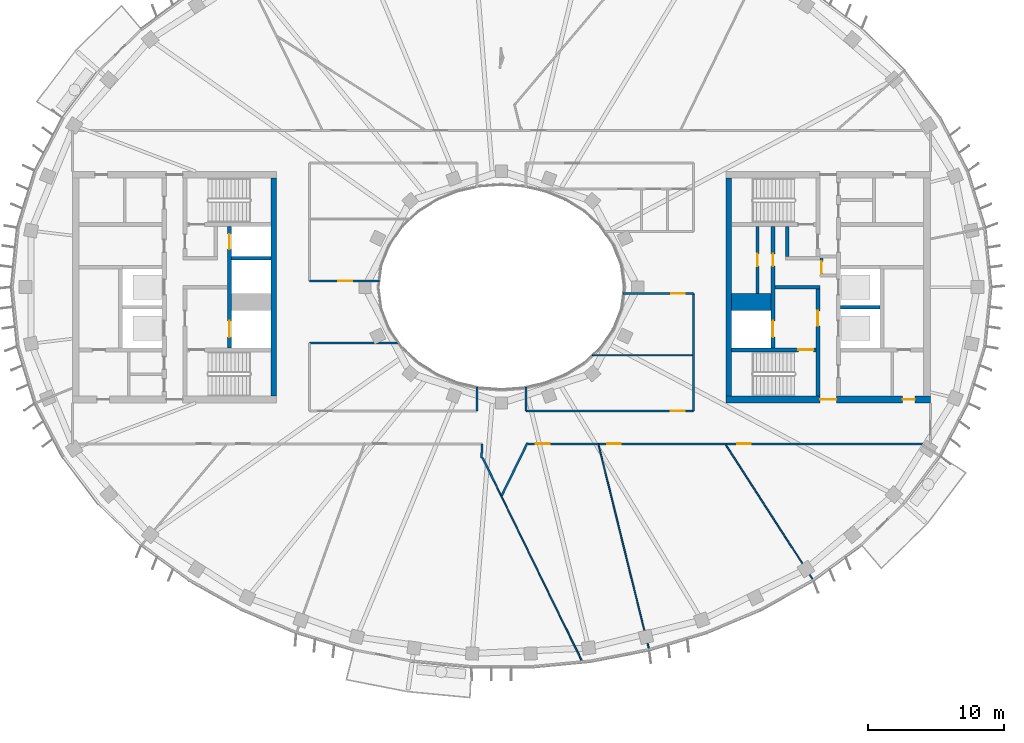
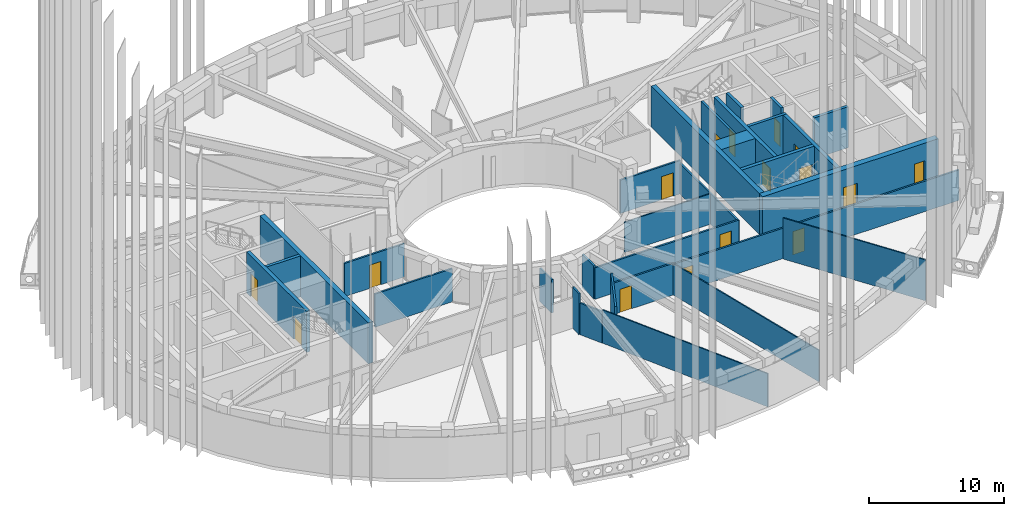
# One storey, part 4 of 17: 30 walls, 16 doors, 16 openings.
"""IFC4 building model written with IfcOpenShell, lengths in metres."""

import ifcopenshell
import ifcopenshell.guid

model = None  # the IFC model being written
_history = None  # IfcOwnerHistory: only IFC2X3 demands one
_inside = {}  # id of a spatial element -> (the spatial element, [elements in it])
_under = {}  # id of a project, library or spatial element -> (it, [spatial elements below it])
_declared = {}  # id of a project -> (the project, [libraries it declares])
_typed = {}  # id of a type object -> (the type object, [elements of that type])
_made_of = {}  # id of a material, layer set ... -> (it, [elements and type objects made of it])


def new_model(schema):
    """Start an empty IFC model of exactly this schema.

    Asked for "IFC4X3", IfcOpenShell would pick the latest addendum, in which some entities
    have other attributes; the version numbers below select the first issue.
    IFC2X3 requires an IfcOwnerHistory on every rooted entity: one is made here for all.
    """
    global model, _history
    if schema == "IFC4X3":
        model = ifcopenshell.file(schema_version=(4, 3, 0, 0))
    else:
        model = ifcopenshell.file(schema=schema)
    _inside.clear()
    _under.clear()
    _declared.clear()
    _typed.clear()
    _made_of.clear()
    _history = None
    if model.schema == "IFC2X3":
        org = make("IfcOrganization", Name="unknown")
        user = make(
            "IfcPersonAndOrganization",
            ThePerson=make("IfcPerson", FamilyName="unknown"),
            TheOrganization=org,
        )
        app = make(
            "IfcApplication",
            ApplicationDeveloper=org,
            Version="unknown",
            ApplicationFullName="unknown",
            ApplicationIdentifier="unknown",
        )
        _history = make(
            "IfcOwnerHistory",
            OwningUser=user,
            OwningApplication=app,
            ChangeAction="ADDED",
            CreationDate=0,
        )
    return model


def make(cls, **values):
    """One entity of the class cls with the attributes given. An attribute that is None is left unset."""
    return model.create_entity(
        cls, **{name: value for name, value in values.items() if value is not None}
    )


def rooted(cls, **values):
    """An entity with a GlobalId (a new one), such as an element, a storey or a relation."""
    return make(cls, GlobalId=ifcopenshell.guid.new(), OwnerHistory=_history, **values)


def si_unit(unit_type, name, prefix=None):
    """IfcSIUnit, for example si_unit("LENGTHUNIT", "METRE", prefix="MILLI")."""
    return make("IfcSIUnit", UnitType=unit_type, Prefix=prefix, Name=name)


def assignment(units):
    """IfcUnitAssignment: the units of a project."""
    return None if units is None else make("IfcUnitAssignment", Units=units)


def point(xyz):
    """IfcCartesianPoint."""
    return None if xyz is None else make("IfcCartesianPoint", Coordinates=xyz)


def direction(xyz):
    """IfcDirection."""
    return None if xyz is None else make("IfcDirection", DirectionRatios=xyz)


def frame(location, z_axis=None, x_axis=None):
    """IfcAxis2Placement3D, a coordinate frame: its origin and axes. An axis left out is left unset."""
    return make(
        "IfcAxis2Placement3D",
        Location=point(location),
        Axis=direction(z_axis),
        RefDirection=direction(x_axis),
    )


def frame_2d(location, x_axis=None):
    """IfcAxis2Placement2D, a coordinate frame in the plane: its origin and x axis."""
    return make(
        "IfcAxis2Placement2D", Location=point(location), RefDirection=direction(x_axis)
    )


def origin():
    """The frame at (0, 0, 0) with its axes left unset."""
    return frame((0.0, 0.0, 0.0))


def place(relative_to, where):
    """IfcLocalPlacement: puts the frame where relative to a parent placement (None: the world)."""
    return make(
        "IfcLocalPlacement", PlacementRelTo=relative_to, RelativePlacement=where
    )


def context(
    kind, dimensions, precision=None, world=None, true_north=None, identifier=None
):
    """IfcGeometricRepresentationContext, for example the 3D "Model" context."""
    return make(
        "IfcGeometricRepresentationContext",
        ContextIdentifier=identifier,
        ContextType=kind,
        CoordinateSpaceDimension=dimensions,
        Precision=precision,
        WorldCoordinateSystem=world,
        TrueNorth=true_north,
    )


def subcontext(parent, identifier, kind, view, scale=None):
    """IfcGeometricRepresentationSubContext, for example "Body" below "Model"."""
    return make(
        "IfcGeometricRepresentationSubContext",
        ContextIdentifier=identifier,
        ContextType=kind,
        ParentContext=parent,
        TargetScale=scale,
        TargetView=view,
    )


def project(units=None, contexts=None):
    """IfcProject with its units and contexts."""
    return rooted(
        "IfcProject",
        Name="project",
        RepresentationContexts=contexts,
        UnitsInContext=assignment(units),
    )


def spatial(cls, under=None, at=None, **own):
    """A site, building, storey or space (cls), placed at a placement, below another one or the project."""
    s = rooted(cls, ObjectPlacement=at, **own)
    if under is not None:
        _under.setdefault(under.id(), (under, []))[1].append(s)
    return s


def profile(cls, at=None, kind="AREA", **sizes):
    """A parametric profile (cls). Its sizes go by their IFC names, for example OverallWidth=200.0."""
    return make(cls, ProfileType=kind, Position=at, **sizes)


def rectangle(**sizes):
    """IfcRectangleProfileDef."""
    return profile("IfcRectangleProfileDef", **sizes)


def extrude(swept, where, along, depth):
    """IfcExtrudedAreaSolid: the profile swept, set in the frame where, extruded along a direction by depth."""
    return make(
        "IfcExtrudedAreaSolid",
        SweptArea=swept,
        Position=where,
        ExtrudedDirection=direction(along),
        Depth=depth,
    )


def shape(context_of_items, identifier, shape_type, items):
    """IfcShapeRepresentation: the items that make up one representation, for example the "Body"."""
    return make(
        "IfcShapeRepresentation",
        ContextOfItems=context_of_items,
        RepresentationIdentifier=identifier,
        RepresentationType=shape_type,
        Items=items,
    )


def material(Name=None, Category=None):
    """IfcMaterial."""
    return make("IfcMaterial", Name=Name, Category=Category)


def layer(
    of_material, thickness, ventilated=None, Name=None, Category=None, Priority=None
):
    """IfcMaterialLayer: one layer of a wall or slab, of a material (None: an air gap)."""
    return make(
        "IfcMaterialLayer",
        Material=of_material,
        LayerThickness=thickness,
        IsVentilated=ventilated,
        Name=Name,
        Category=Category,
        Priority=Priority,
    )


def layer_set(layers, Name=None):
    """IfcMaterialLayerSet."""
    return make("IfcMaterialLayerSet", MaterialLayers=layers, LayerSetName=Name)


def made_of(thing, what):
    """Note that an element or type object is made of a material, layer set ...; save() writes the relation."""
    if what is not None:
        _made_of.setdefault(what.id(), (what, []))[1].append(thing)
    return thing


def type_object(cls, material=None, **own):
    """A type object (cls), such as IfcWallType, which elements share."""
    return made_of(rooted(cls, **own), material)


def element(
    cls,
    number,
    at=None,
    inside=None,
    cuts=None,
    type_object=None,
    material=None,
    context=None,
    identifier="Body",
    shape_type=None,
    held_by="IfcProductDefinitionShape",
    body=None,
    shapes=None,
    **own,
):
    """One element of the class cls, such as IfcWall. Its Tag is "e" and its number.

    at: its placement. inside: the storey or other place that contains it. cuts: it is an
    opening in that element (IfcRelVoidsElement). A single representation is given by context,
    identifier, shape_type and body (its items); several are given by shapes. held_by: the class
    of the entity that holds the representations. save() writes the other relations.
    """
    e = rooted(cls, Tag="e%d" % number, ObjectPlacement=at, **own)
    if body is not None:
        shapes = [shape(context, identifier, shape_type, body)]
    if shapes is not None:
        e.Representation = make(held_by, Representations=shapes)
    if inside is not None:
        _inside.setdefault(inside.id(), (inside, []))[1].append(e)
    if cuts is not None:
        rooted(
            "IfcRelVoidsElement", RelatingBuildingElement=cuts, RelatedOpeningElement=e
        )
    if type_object is not None:
        _typed.setdefault(type_object.id(), (type_object, []))[1].append(e)
    return made_of(e, material)


def fill(opening, filler):
    """IfcRelFillsElement: the door or window that sits in an opening."""
    return rooted(
        "IfcRelFillsElement",
        RelatingOpeningElement=opening,
        RelatedBuildingElement=filler,
    )


def aggregate(whole, parts):
    """IfcRelAggregates: a whole, such as a stair, and the parts it consists of."""
    return rooted("IfcRelAggregates", RelatingObject=whole, RelatedObjects=parts)


def save(model, path):
    """Write the relations noted so far, then the file.

    IfcRelAggregates (storeys below a building ...), IfcRelContainedInSpatialStructure (elements
    in a storey), IfcRelDefinesByType, IfcRelAssociatesMaterial and IfcRelDeclares: one each for
    every whole, place, type object, material and project.
    """
    for whole, parts in _under.values():
        aggregate(whole, parts)
    for where, things in _inside.values():
        rooted(
            "IfcRelContainedInSpatialStructure",
            RelatedElements=things,
            RelatingStructure=where,
        )
    for kind, things in _typed.values():
        rooted("IfcRelDefinesByType", RelatedObjects=things, RelatingType=kind)
    for what, things in _made_of.values():
        rooted("IfcRelAssociatesMaterial", RelatedObjects=things, RelatingMaterial=what)
    for by, libraries in _declared.values():
        rooted("IfcRelDeclares", RelatingContext=by, RelatedDefinitions=libraries)
    model.write(path)


model = new_model("IFC4")

# Units and contexts
model_context = context("Model", 3, precision=1e-05, world=origin(), true_north=direction((0.0, 1.0)))
body_context = subcontext(model_context, "Body", "Model", "MODEL_VIEW")
ifc_project = project(units=[si_unit("LENGTHUNIT", "METRE"), si_unit("AREAUNIT", "SQUARE_METRE"), si_unit("VOLUMEUNIT", "CUBIC_METRE"), si_unit("PLANEANGLEUNIT", "RADIAN"), si_unit("MASSUNIT", "GRAM", prefix="KILO")], contexts=[model_context])

# Site, building, storey
site_placement = place(None, origin())
site = spatial("IfcSite", under=ifc_project, at=site_placement, CompositionType="ELEMENT")
building_placement = place(site_placement, origin())
building = spatial("IfcBuilding", under=site, at=building_placement, Name="Noorbagh Ring Tower", CompositionType="ELEMENT")
storey_placement = place(building_placement, frame((0.0, 0.0, 291.0)))
storey = spatial("IfcBuildingStorey", under=building, at=storey_placement, Name="L62", CompositionType="ELEMENT", Elevation=291.0)

# Wall, opening, door
ifc_material_1 = material(Name="Gypsum board on steel studs", Category="steel")
ifc_layer_1 = layer(ifc_material_1, 0.199951171875)
ifc_layer_set_1 = layer_set([ifc_layer_1], Name="Gypsum board on steel studs")
wall_type_1 = type_object("IfcWallType", Name="CORE-PARTITION-200", PredefinedType="PARTITIONING", material=ifc_layer_set_1)
wall_1_placement = place(storey_placement, frame((18.800048828125, -0.449951171875, 0.0), z_axis=(0.0, 0.0, 1.0), x_axis=(0.0, 1.0, 0.0)))
wall_1 = element("IfcWall", 1, at=wall_1_placement, inside=storey, type_object=wall_type_1, Name="Core partition E", PredefinedType="PARTITIONING", context=body_context, shape_type="SweptSolid", body=[
    extrude(rectangle(XDim=4.89990234375, YDim=0.199951171875, at=frame_2d((2.449951171875, 0.0))), origin(), (0.0, 0.0, 1.0), 3.699951171875),
])
opening_1_placement = place(wall_1_placement, frame((2.0, 0.0, 0.0)))
opening_1 = element("IfcOpeningElement", 2, at=opening_1_placement, cuts=wall_1, Name="Opening L62-CE11", PredefinedType="OPENING", context=body_context, shape_type="SweptSolid", body=[
    extrude(rectangle(XDim=0.89990234375, YDim=2.10009765625, at=frame_2d((0.449951171875, 1.050048828125))), frame((0.0, 0.10986328125, 0.0), z_axis=(0.0, -1.0, 0.0), x_axis=(1.0, 0.0, 0.0)), (0.0, 0.0, 1.0), 0.219970703125),
])
ifc_material_2 = material(Name="Steel door leaf", Category="steel")
door_type_1 = type_object("IfcDoorType", Name="CORE-DOOR-DROOM", OperationType="SINGLE_SWING_LEFT", PredefinedType="DOOR", material=ifc_material_2)
door_1_placement = place(opening_1_placement, origin())
door_1 = element("IfcDoor", 3, at=door_1_placement, inside=storey, type_object=door_type_1, Name="Core room door L62-CE11", OperationType="SINGLE_SWING_RIGHT", OverallHeight=2.10009765625, OverallWidth=0.89990234375, PredefinedType="DOOR", context=body_context, shape_type="SweptSolid", body=[
    extrude(rectangle(XDim=0.89990234375, YDim=2.10009765625, at=frame_2d((0.449951171875, 1.050048828125))), frame((0.0, 0.02490234375, 0.0), z_axis=(0.0, -1.0, 0.0), x_axis=(1.0, 0.0, 0.0)), (0.0, 0.0, 1.0), 0.050048828125),
])
fill(opening_1, door_1)

wall_2_placement = place(storey_placement, frame((23.5, 0.75, 0.0), z_axis=(0.0, 0.0, 1.0), x_axis=(0.0, 1.0, 0.0)))
wall_2 = element("IfcWall", 4, at=wall_2_placement, inside=storey, type_object=wall_type_1, Name="Core partition E", PredefinedType="PARTITIONING", context=body_context, shape_type="SweptSolid", body=[
    extrude(rectangle(XDim=1.60009765625, YDim=0.199951171875, at=frame_2d((0.800048828125, 0.0))), origin(), (0.0, 0.0, 1.0), 3.699951171875),
])
opening_2_placement = place(wall_2_placement, frame((0.25, 0.0, 0.0)))
opening_2 = element("IfcOpeningElement", 5, at=opening_2_placement, cuts=wall_2, Name="Opening L62-CE18", PredefinedType="OPENING", context=body_context, shape_type="SweptSolid", body=[
    extrude(rectangle(XDim=0.89990234375, YDim=2.10009765625, at=frame_2d((0.449951171875, 1.050048828125))), frame((0.0, 0.10986328125, 0.0), z_axis=(0.0, -1.0, 0.0), x_axis=(1.0, 0.0, 0.0)), (0.0, 0.0, 1.0), 0.219970703125),
])
door_2_placement = place(opening_2_placement, origin())
door_2 = element("IfcDoor", 6, at=door_2_placement, inside=storey, type_object=door_type_1, Name="Core room door L62-CE18", OperationType="SINGLE_SWING_LEFT", OverallHeight=2.10009765625, OverallWidth=0.89990234375, PredefinedType="DOOR", context=body_context, shape_type="SweptSolid", body=[
    extrude(rectangle(XDim=0.89990234375, YDim=2.10009765625, at=frame_2d((0.449951171875, 1.050048828125))), frame((0.0, 0.02490234375, 0.0), z_axis=(0.0, -1.0, 0.0), x_axis=(1.0, 0.0, 0.0)), (0.0, 0.0, 1.0), 0.050048828125),
])
fill(opening_2, door_2)

# Walls
ifc_material_3 = material(Name="Concrete C50/60", Category="concrete")
ifc_layer_2 = layer(ifc_material_3, 1.25)
ifc_layer_set_2 = layer_set([ifc_layer_2], Name="Concrete C50/60")
wall_type_2 = type_object("IfcWallType", Name="CORE-WALL-1250-C50-60-EI120", PredefinedType="SHEAR", material=ifc_layer_set_2)
wall_3_placement = place(storey_placement, frame((16.89990234375, -1.074951171875, 0.0), z_axis=(0.0, 0.0, 1.0), x_axis=(1.0, 0.0, 0.0)))
element("IfcWall", 7, at=wall_3_placement, inside=storey, type_object=wall_type_2, Name="Core wall E", PredefinedType="SHEAR", context=body_context, shape_type="SweptSolid", body=[
    extrude(rectangle(XDim=2.900146484375, YDim=1.25, at=frame_2d((1.4501953125, 0.0))), origin(), (0.0, 0.0, 1.0), 3.699951171875),
])
ifc_material_4 = material(Name="Concrete C50/60", Category="concrete")
ifc_layer_3 = layer(ifc_material_4, 0.25)
ifc_layer_set_3 = layer_set([ifc_layer_3], Name="Concrete C50/60")
wall_type_3 = type_object("IfcWallType", Name="CORE-WALL-250-C50-60-EI120", PredefinedType="SHEAR", material=ifc_layer_set_3)
for number, where, z_axis, x_axis, name in (
    (8, (-16.89990234375, 2.125, 0.0), (0.0, 0.0, 1.0), (-1.0, 0.0, 0.0), "Core wall W"),
    (9, (24.89990234375, -1.47509765625, 0.0), (0.0, 0.0, 1.0), (1.0, 0.0, 0.0), "Core wall E"),
):
    element("IfcWall", number, at=place(storey_placement, frame(where, z_axis=z_axis, x_axis=x_axis)), inside=storey, type_object=wall_type_3, Name=name, PredefinedType="SHEAR", context=body_context, shape_type="SweptSolid", body=[
        extrude(rectangle(XDim=2.900146484375, YDim=0.25, at=frame_2d((1.4501953125, 0.0))), origin(), (0.0, 0.0, 1.0), 3.699951171875),
    ])
ifc_material_5 = material(Name="Concrete C50/60", Category="concrete")
ifc_layer_4 = layer(ifc_material_5, 0.25)
ifc_layer_set_4 = layer_set([ifc_layer_4], Name="Concrete C50/60")
wall_type_4 = type_object("IfcWallType", Name="CORE-WALL-250-C50-60-EI240", PredefinedType="SHEAR", material=ifc_layer_set_4)
wall_4_placement = place(storey_placement, frame((20.10009765625, 0.0, 0.0), z_axis=(0.0, 0.0, 1.0), x_axis=(1.0, 0.0, 0.0)))
element("IfcWall", 10, at=wall_4_placement, inside=storey, type_object=wall_type_4, Name="Core wall E", PredefinedType="SHEAR", context=body_context, shape_type="SweptSolid", body=[
    extrude(rectangle(XDim=3.27978515625, YDim=0.25, at=frame_2d((1.639892578125, 0.0))), origin(), (0.0, 0.0, 1.0), 3.699951171875),
])
wall_5_placement = place(storey_placement, frame((20.97509765625, 2.25, 0.0), z_axis=(0.0, 0.0, 1.0), x_axis=(0.0, 1.0, 0.0)))
element("IfcWall", 11, at=wall_5_placement, inside=storey, type_object=wall_type_4, Name="Core wall E", PredefinedType="SHEAR", context=body_context, shape_type="SweptSolid", body=[
    extrude(rectangle(XDim=2.199951171875, YDim=0.25, at=frame_2d((1.10009765625, 0.0))), origin(), (0.0, 0.0, 1.0), 3.699951171875),
])

# Wall, openings, doors
ifc_material_6 = material(Name="Concrete C50/60", Category="concrete")
ifc_layer_5 = layer(ifc_material_6, 0.300048828125)
ifc_layer_set_5 = layer_set([ifc_layer_5], Name="Concrete C50/60")
wall_type_5 = type_object("IfcWallType", Name="CORE-WALL-300-C50-60-EI120", PredefinedType="SHEAR", material=ifc_layer_set_5)
wall_6_placement = place(storey_placement, frame((-19.949951171875, -4.449951171875, 0.0), z_axis=(0.0, 0.0, 1.0), x_axis=(0.0, 1.0, 0.0)))
wall_6 = element("IfcWall", 12, at=wall_6_placement, inside=storey, type_object=wall_type_5, Name="Core wall W", PredefinedType="SHEAR", context=body_context, shape_type="SweptSolid", body=[
    extrude(rectangle(XDim=8.89990234375, YDim=0.300048828125, at=frame_2d((4.449951171875, 0.0))), origin(), (0.0, 0.0, 1.0), 3.699951171875),
])
opening_3_placement = place(wall_6_placement, frame((0.77490234375, 0.0, 0.0)))
opening_3 = element("IfcOpeningElement", 13, at=opening_3_placement, cuts=wall_6, Name="Opening L62-CW01", PredefinedType="OPENING", context=body_context, shape_type="SweptSolid", body=[
    extrude(rectangle(XDim=1.199951171875, YDim=2.10009765625, at=frame_2d((0.60009765625, 1.050048828125))), frame((0.0, 0.16015625, 0.0), z_axis=(0.0, -1.0, 0.0), x_axis=(1.0, 0.0, 0.0)), (0.0, 0.0, 1.0), 0.320068359375),
])
opening_4_placement = place(wall_6_placement, frame((7.25, 0.0, 0.0)))
opening_4 = element("IfcOpeningElement", 14, at=opening_4_placement, cuts=wall_6, Name="Opening L62-CW02", PredefinedType="OPENING", context=body_context, shape_type="SweptSolid", body=[
    extrude(rectangle(XDim=1.10009765625, YDim=2.10009765625, at=frame_2d((0.550048828125, 1.050048828125))), frame((0.0, 0.16015625, 0.0), z_axis=(0.0, -1.0, 0.0), x_axis=(1.0, 0.0, 0.0)), (0.0, 0.0, 1.0), 0.320068359375),
])
ifc_material_7 = material(Name="Steel door leaf", Category="steel")
door_type_2 = type_object("IfcDoorType", Name="CORE-DOOR-LD", OperationType="DOUBLE_DOOR_SLIDING", PredefinedType="DOOR", material=ifc_material_7)
door_3_placement = place(opening_4_placement, origin())
door_3 = element("IfcDoor", 15, at=door_3_placement, inside=storey, type_object=door_type_2, Name="Landing door HR1 L62-CW02", OperationType="DOUBLE_DOOR_SLIDING", OverallHeight=2.10009765625, OverallWidth=1.10009765625, PredefinedType="DOOR", context=body_context, shape_type="SweptSolid", body=[
    extrude(rectangle(XDim=1.10009765625, YDim=2.10009765625, at=frame_2d((0.550048828125, 1.050048828125))), frame((0.0, 0.02490234375, 0.0), z_axis=(0.0, -1.0, 0.0), x_axis=(1.0, 0.0, 0.0)), (0.0, 0.0, 1.0), 0.050048828125),
])
fill(opening_4, door_3)
ifc_material_8 = material(Name="Steel door leaf", Category="steel")
door_type_3 = type_object("IfcDoorType", Name="CORE-DOOR-LDW", OperationType="DOUBLE_DOOR_SLIDING", PredefinedType="DOOR", material=ifc_material_8)
door_4_placement = place(opening_3_placement, origin())
door_4 = element("IfcDoor", 16, at=door_4_placement, inside=storey, type_object=door_type_3, Name="Landing door FF1 L62-CW01", OperationType="DOUBLE_DOOR_SLIDING", OverallHeight=2.10009765625, OverallWidth=1.199951171875, PredefinedType="DOOR", context=body_context, shape_type="SweptSolid", body=[
    extrude(rectangle(XDim=1.199951171875, YDim=2.10009765625, at=frame_2d((0.60009765625, 1.050048828125))), frame((0.0, 0.02490234375, 0.0), z_axis=(0.0, -1.0, 0.0), x_axis=(1.0, 0.0, 0.0)), (0.0, 0.0, 1.0), 0.050048828125),
])
fill(opening_3, door_4)

wall_7_placement = place(storey_placement, frame((19.949951171875, -4.449951171875, 0.0), z_axis=(0.0, 0.0, 1.0), x_axis=(0.0, 1.0, 0.0)))
wall_7 = element("IfcWall", 17, at=wall_7_placement, inside=storey, type_object=wall_type_5, Name="Core wall E", PredefinedType="SHEAR", context=body_context, shape_type="SweptSolid", body=[
    extrude(rectangle(XDim=8.89990234375, YDim=0.300048828125, at=frame_2d((4.449951171875, 0.0))), origin(), (0.0, 0.0, 1.0), 3.699951171875),
])
opening_5_placement = place(wall_7_placement, frame((0.77490234375, 0.0, 0.0)))
opening_5 = element("IfcOpeningElement", 18, at=opening_5_placement, cuts=wall_7, Name="Opening L62-CE01", PredefinedType="OPENING", context=body_context, shape_type="SweptSolid", body=[
    extrude(rectangle(XDim=1.199951171875, YDim=2.10009765625, at=frame_2d((0.60009765625, 1.050048828125))), frame((0.0, 0.16015625, 0.0), z_axis=(0.0, -1.0, 0.0), x_axis=(1.0, 0.0, 0.0)), (0.0, 0.0, 1.0), 0.320068359375),
])
opening_6_placement = place(wall_7_placement, frame((6.0, 0.0, 0.0)))
opening_6 = element("IfcOpeningElement", 19, at=opening_6_placement, cuts=wall_7, Name="Opening L62-CE10", PredefinedType="OPENING", context=body_context, shape_type="SweptSolid", body=[
    extrude(rectangle(XDim=0.89990234375, YDim=2.10009765625, at=frame_2d((0.449951171875, 1.050048828125))), frame((0.0, 0.16015625, 0.0), z_axis=(0.0, -1.0, 0.0), x_axis=(1.0, 0.0, 0.0)), (0.0, 0.0, 1.0), 0.320068359375),
])
door_5_placement = place(opening_6_placement, origin())
door_5 = element("IfcDoor", 20, at=door_5_placement, inside=storey, type_object=door_type_1, Name="Core room door L62-CE10", OperationType="SINGLE_SWING_RIGHT", OverallHeight=2.10009765625, OverallWidth=0.89990234375, PredefinedType="DOOR", context=body_context, shape_type="SweptSolid", body=[
    extrude(rectangle(XDim=0.89990234375, YDim=2.10009765625, at=frame_2d((0.449951171875, 1.050048828125))), frame((0.0, 0.02490234375, 0.0), z_axis=(0.0, -1.0, 0.0), x_axis=(1.0, 0.0, 0.0)), (0.0, 0.0, 1.0), 0.050048828125),
])
fill(opening_6, door_5)
door_6_placement = place(opening_5_placement, origin())
door_6 = element("IfcDoor", 21, at=door_6_placement, inside=storey, type_object=door_type_3, Name="Landing door FF2 L62-CE01", OperationType="DOUBLE_DOOR_SLIDING", OverallHeight=2.10009765625, OverallWidth=1.199951171875, PredefinedType="DOOR", context=body_context, shape_type="SweptSolid", body=[
    extrude(rectangle(XDim=1.199951171875, YDim=2.10009765625, at=frame_2d((0.60009765625, 1.050048828125))), frame((0.0, 0.02490234375, 0.0), z_axis=(0.0, -1.0, 0.0), x_axis=(1.0, 0.0, 0.0)), (0.0, 0.0, 1.0), 0.050048828125),
])
fill(opening_5, door_6)

# Wall, opening, door
ifc_material_9 = material(Name="Concrete C50/60", Category="concrete")
ifc_layer_6 = layer(ifc_material_9, 0.300048828125)
ifc_layer_set_6 = layer_set([ifc_layer_6], Name="Concrete C50/60")
wall_type_6 = type_object("IfcWallType", Name="CORE-WALL-300-C50-60-EI240", PredefinedType="SHEAR", material=ifc_layer_set_6)
wall_8_placement = place(storey_placement, frame((23.22998046875, -8.0, 0.0), z_axis=(0.0, 0.0, 1.0), x_axis=(0.0, 1.0, 0.0)))
wall_8 = element("IfcWall", 22, at=wall_8_placement, inside=storey, type_object=wall_type_6, Name="Core wall E", PredefinedType="SHEAR", context=body_context, shape_type="SweptSolid", body=[
    extrude(rectangle(XDim=7.875, YDim=0.300048828125, at=frame_2d((3.9375, 0.0))), origin(), (0.0, 0.0, 1.0), 3.699951171875),
])
opening_7_placement = place(wall_8_placement, frame((5.14990234375, 0.0, 0.0)))
opening_7 = element("IfcOpeningElement", 23, at=opening_7_placement, cuts=wall_8, Name="Opening L62-CE06", PredefinedType="OPENING", context=body_context, shape_type="SweptSolid", body=[
    extrude(rectangle(XDim=1.10009765625, YDim=2.10009765625, at=frame_2d((0.550048828125, 1.050048828125))), frame((0.0, 0.16015625, 0.0), z_axis=(0.0, -1.0, 0.0), x_axis=(1.0, 0.0, 0.0)), (0.0, 0.0, 1.0), 0.320068359375),
])
ifc_material_10 = material(Name="Steel door leaf", Category="steel")
door_type_4 = type_object("IfcDoorType", Name="CORE-DOOR-DFF", OperationType="SINGLE_SWING_LEFT", PredefinedType="DOOR", material=ifc_material_10)
door_7_placement = place(opening_7_placement, origin())
door_7 = element("IfcDoor", 24, at=door_7_placement, inside=storey, type_object=door_type_4, Name="Firefighting lobby door L62-CE06", OperationType="SINGLE_SWING_RIGHT", OverallHeight=2.10009765625, OverallWidth=1.10009765625, PredefinedType="DOOR", context=body_context, shape_type="SweptSolid", body=[
    extrude(rectangle(XDim=1.10009765625, YDim=2.10009765625, at=frame_2d((0.550048828125, 1.050048828125))), frame((0.0, 0.02490234375, 0.0), z_axis=(0.0, -1.0, 0.0), x_axis=(1.0, 0.0, 0.0)), (0.0, 0.0, 1.0), 0.050048828125),
])
fill(opening_7, door_7)

wall_9_placement = place(storey_placement, frame((16.89990234375, -4.60009765625, 0.0), z_axis=(0.0, 0.0, 1.0), x_axis=(1.0, 0.0, 0.0)))
wall_9 = element("IfcWall", 25, at=wall_9_placement, inside=storey, type_object=wall_type_6, Name="Core wall E", PredefinedType="SHEAR", context=body_context, shape_type="SweptSolid", body=[
    extrude(rectangle(XDim=6.18017578125, YDim=0.300048828125, at=frame_2d((3.090087890625, 0.0))), origin(), (0.0, 0.0, 1.0), 3.699951171875),
])
opening_8_placement = place(wall_9_placement, frame((4.89990234375, 0.0, 0.0)))
opening_8 = element("IfcOpeningElement", 26, at=opening_8_placement, cuts=wall_9, Name="Opening L62-CE05", PredefinedType="OPENING", context=body_context, shape_type="SweptSolid", body=[
    extrude(rectangle(XDim=1.10009765625, YDim=2.10009765625, at=frame_2d((0.550048828125, 1.050048828125))), frame((0.0, 0.16015625, 0.0), z_axis=(0.0, -1.0, 0.0), x_axis=(1.0, 0.0, 0.0)), (0.0, 0.0, 1.0), 0.320068359375),
])
ifc_material_11 = material(Name="Steel door leaf", Category="steel")
door_type_5 = type_object("IfcDoorType", Name="CORE-DOOR-DSTAIR", OperationType="SINGLE_SWING_LEFT", PredefinedType="DOOR", material=ifc_material_11)
door_8_placement = place(opening_8_placement, origin())
door_8 = element("IfcDoor", 27, at=door_8_placement, inside=storey, type_object=door_type_5, Name="Stair door ST4 L62-CE05", OperationType="SINGLE_SWING_RIGHT", OverallHeight=2.10009765625, OverallWidth=1.10009765625, PredefinedType="DOOR", context=body_context, shape_type="SweptSolid", body=[
    extrude(rectangle(XDim=1.10009765625, YDim=2.10009765625, at=frame_2d((0.550048828125, 1.050048828125))), frame((0.0, 0.02490234375, 0.0), z_axis=(0.0, -1.0, 0.0), x_axis=(1.0, 0.0, 0.0)), (0.0, 0.0, 1.0), 0.050048828125),
])
fill(opening_8, door_8)

# Walls
ifc_material_12 = material(Name="Concrete C50/60", Category="concrete")
ifc_layer_7 = layer(ifc_material_12, 0.39990234375)
ifc_layer_set_7 = layer_set([ifc_layer_7], Name="Concrete C50/60")
wall_type_7 = type_object("IfcWallType", Name="CORE-WALL-400-C50-60-EI240", PredefinedType="SHEAR", material=ifc_layer_set_7)
for number, where, z_axis, x_axis, name in (
    (28, (-16.699951171875, -8.0, 0.0), (0.0, 0.0, 1.0), (0.0, 1.0, 0.0), "Core wall W"),
    (29, (16.699951171875, -8.0, 0.0), (0.0, 0.0, 1.0), (0.0, 1.0, 0.0), "Core wall E"),
):
    element("IfcWall", number, at=place(storey_placement, frame(where, z_axis=z_axis, x_axis=x_axis)), inside=storey, type_object=wall_type_7, Name=name, PredefinedType="SHEAR", context=body_context, shape_type="SweptSolid", body=[
        extrude(rectangle(XDim=16.0, YDim=0.39990234375, at=frame_2d((8.0, 0.0))), origin(), (0.0, 0.0, 1.0), 3.699951171875),
    ])

# Wall, openings, doors
ifc_material_13 = material(Name="Concrete C50/60", Category="concrete")
ifc_layer_8 = layer(ifc_material_13, 0.5)
ifc_layer_set_8 = layer_set([ifc_layer_8], Name="Concrete C50/60")
wall_type_8 = type_object("IfcWallType", Name="CORE-WALL-500-C50-60-EI240", PredefinedType="SHEAR", material=ifc_layer_set_8)
wall_10_placement = place(storey_placement, frame((16.5, -8.25, 0.0), z_axis=(0.0, 0.0, 1.0), x_axis=(1.0, 0.0, 0.0)))
wall_10 = element("IfcWall", 30, at=wall_10_placement, inside=storey, type_object=wall_type_8, Name="Core wall E", PredefinedType="SHEAR", context=body_context, shape_type="SweptSolid", body=[
    extrude(rectangle(XDim=15.0, YDim=0.5, at=frame_2d((7.5, 0.0))), origin(), (0.0, 0.0, 1.0), 3.699951171875),
])
opening_9_placement = place(wall_10_placement, frame((6.89990234375, 0.0, 0.0)))
opening_9 = element("IfcOpeningElement", 31, at=opening_9_placement, cuts=wall_10, Name="Opening L62-CE09", PredefinedType="OPENING", context=body_context, shape_type="SweptSolid", body=[
    extrude(rectangle(XDim=1.199951171875, YDim=2.10009765625, at=frame_2d((0.60009765625, 1.050048828125))), frame((0.0, 0.260009765625, 0.0), z_axis=(0.0, -1.0, 0.0), x_axis=(1.0, 0.0, 0.0)), (0.0, 0.0, 1.0), 0.52001953125),
])
opening_10_placement = place(wall_10_placement, frame((12.949951171875, 0.0, 0.0)))
opening_10 = element("IfcOpeningElement", 32, at=opening_10_placement, cuts=wall_10, Name="Opening L62-CE17", PredefinedType="OPENING", context=body_context, shape_type="SweptSolid", body=[
    extrude(rectangle(XDim=0.89990234375, YDim=2.10009765625, at=frame_2d((0.449951171875, 1.050048828125))), frame((0.0, 0.260009765625, 0.0), z_axis=(0.0, -1.0, 0.0), x_axis=(1.0, 0.0, 0.0)), (0.0, 0.0, 1.0), 0.52001953125),
])
door_9_placement = place(opening_10_placement, origin())
door_9 = element("IfcDoor", 33, at=door_9_placement, inside=storey, type_object=door_type_1, Name="Core room door L62-CE17", OperationType="SINGLE_SWING_RIGHT", OverallHeight=2.10009765625, OverallWidth=0.89990234375, PredefinedType="DOOR", context=body_context, shape_type="SweptSolid", body=[
    extrude(rectangle(XDim=0.89990234375, YDim=2.10009765625, at=frame_2d((0.449951171875, 1.050048828125))), frame((0.0, 0.02490234375, 0.0), z_axis=(0.0, -1.0, 0.0), x_axis=(1.0, 0.0, 0.0)), (0.0, 0.0, 1.0), 0.050048828125),
])
fill(opening_10, door_9)
ifc_material_14 = material(Name="Steel door leaf", Category="steel")
door_type_6 = type_object("IfcDoorType", Name="CORE-DOOR-PORT", OperationType="DOUBLE_DOOR_DOUBLE_SWING", PredefinedType="DOOR", material=ifc_material_14)
door_10_placement = place(opening_9_placement, origin())
door_10 = element("IfcDoor", 34, at=door_10_placement, inside=storey, type_object=door_type_6, Name="Core entrance door L62-CE09", OperationType="DOUBLE_DOOR_DOUBLE_SWING", OverallHeight=2.10009765625, OverallWidth=1.199951171875, PredefinedType="DOOR", context=body_context, shape_type="SweptSolid", body=[
    extrude(rectangle(XDim=1.199951171875, YDim=2.10009765625, at=frame_2d((0.60009765625, 1.050048828125))), frame((0.0, 0.02490234375, 0.0), z_axis=(0.0, -1.0, 0.0), x_axis=(1.0, 0.0, 0.0)), (0.0, 0.0, 1.0), 0.050048828125),
])
fill(opening_9, door_10)

# Wall
ifc_material_15 = material(Name="Gypsum board on steel studs", Category="steel")
ifc_layer_9 = layer(ifc_material_15, 0.14990234375)
ifc_layer_set_9 = layer_set([ifc_layer_9], Name="Gypsum board on steel studs")
wall_type_9 = type_object("IfcWallType", Name="CORRIDOR PARTITION 150 EI 30", PredefinedType="PARTITIONING", material=ifc_layer_set_9)
wall_11_placement = place(storey_placement, frame((-14.10009765625, -4.094970703125, 0.0), z_axis=(0.0, 0.0, 1.0), x_axis=(1.0, 0.0, 0.0)))
element("IfcWall", 35, at=wall_11_placement, inside=storey, type_object=wall_type_9, Name="L62/wall/P12", PredefinedType="PARTITIONING", context=body_context, shape_type="SweptSolid", body=[
    extrude(rectangle(XDim=6.60302734375, YDim=0.14990234375, at=frame_2d((3.301513671875, 0.0))), origin(), (0.0, 0.0, 1.0), 3.0),
])

# Wall, opening, door
wall_12_placement = place(storey_placement, frame((-14.10009765625, 0.455078125, 0.0), z_axis=(0.0, 0.0, 1.0), x_axis=(1.0, 0.0, 0.0)))
wall_12 = element("IfcWall", 36, at=wall_12_placement, inside=storey, type_object=wall_type_9, Name="L62/wall/P14", PredefinedType="PARTITIONING", context=body_context, shape_type="SweptSolid", body=[
    extrude(rectangle(XDim=5.155029296875, YDim=0.14990234375, at=frame_2d((2.57763671875, 0.0))), origin(), (0.0, 0.0, 1.0), 3.0),
])
opening_11_placement = place(wall_12_placement, frame((2.134033203125, 0.0, 0.0)))
opening_11 = element("IfcOpeningElement", 37, at=opening_11_placement, cuts=wall_12, Name="Opening D1", PredefinedType="OPENING", context=body_context, shape_type="SweptSolid", body=[
    extrude(rectangle(XDim=1.0, YDim=2.10009765625, at=frame_2d((0.5, 1.050048828125))), frame((0.0, 0.0849609375, 0.0), z_axis=(0.0, -1.0, 0.0), x_axis=(1.0, 0.0, 0.0)), (0.0, 0.0, 1.0), 0.169921875),
])
ifc_material_16 = material(Name="Timber, painted", Category="wood")
door_type_7 = type_object("IfcDoorType", Name="DOOR 1000 X 2100 FD30", OperationType="SINGLE_SWING_LEFT", PredefinedType="DOOR", material=ifc_material_16)
door_11_placement = place(opening_11_placement, origin())
door_11 = element("IfcDoor", 38, at=door_11_placement, inside=storey, type_object=door_type_7, Name="L62-D19", OperationType="SINGLE_SWING_LEFT", OverallHeight=2.10009765625, OverallWidth=1.0, PredefinedType="DOOR", context=body_context, shape_type="SweptSolid", body=[
    extrude(rectangle(XDim=1.0, YDim=2.10009765625, at=frame_2d((0.5, 1.050048828125))), frame((0.0, 0.02490234375, 0.0), z_axis=(0.0, -1.0, 0.0), x_axis=(1.0, 0.0, 0.0)), (0.0, 0.0, 1.0), 0.050048828125),
])
fill(opening_11, door_11)

# Walls
wall_13_placement = place(storey_placement, frame((-1.800048828125, -9.10009765625, 0.0), z_axis=(0.0, 0.0, 1.0), x_axis=(0.0, 1.0, 0.0)))
element("IfcWall", 39, at=wall_13_placement, inside=storey, type_object=wall_type_9, Name="L62/wall/P18", PredefinedType="PARTITIONING", context=body_context, shape_type="SweptSolid", body=[
    extrude(rectangle(XDim=1.76416015625, YDim=0.14990234375, at=frame_2d((0.882080078125, 0.0))), origin(), (0.0, 0.0, 1.0), 3.0),
])
wall_14_placement = place(storey_placement, frame((-1.458984375, -12.5380859375, 0.0), z_axis=(0.0, 0.0, 1.0), x_axis=(0.047542673634, 0.998869207746, 0.0)))
element("IfcWall", 40, at=wall_14_placement, inside=storey, type_object=wall_type_9, Name="L62/wall/P20", PredefinedType="PARTITIONING", context=body_context, shape_type="SweptSolid", body=[
    extrude(rectangle(XDim=1.0322265625, YDim=0.14990234375, at=frame_2d((0.51611328125, 0.0))), origin(), (0.0, 0.0, 1.0), 3.699951171875),
])
wall_15_placement = place(storey_placement, frame((-1.384033203125, -12.52197265625, 0.0), z_axis=(0.0, 0.0, 1.0), x_axis=(0.439356052892, -0.898313007134, 0.0)))
element("IfcWall", 41, at=wall_15_placement, inside=storey, type_object=wall_type_9, Name="L62/wall/P21", PredefinedType="PARTITIONING", context=body_context, shape_type="SweptSolid", body=[
    extrude(rectangle(XDim=1.98046875, YDim=0.14990234375, at=frame_2d((0.990234375, 0.0))), origin(), (0.0, 0.0, 1.0), 2.85009765625),
])
wall_16_placement = place(storey_placement, frame((0.02197265625, -15.30810546875, 0.0), z_axis=(0.0, 0.0, 1.0), x_axis=(0.439129080874, 0.898423981387, 0.0)))
element("IfcWall", 42, at=wall_16_placement, inside=storey, type_object=wall_type_9, Name="L62/wall/P26", PredefinedType="PARTITIONING", context=body_context, shape_type="SweptSolid", body=[
    extrude(rectangle(XDim=4.322021484375, YDim=0.14990234375, at=frame_2d((2.1611328125, 0.0))), origin(), (0.0, 0.0, 1.0), 3.699951171875),
])
wall_17_placement = place(storey_placement, frame((1.800048828125, -9.10009765625, 0.0), z_axis=(0.0, 0.0, 1.0), x_axis=(0.0, 1.0, 0.0)))
element("IfcWall", 43, at=wall_17_placement, inside=storey, type_object=wall_type_9, Name="L62/wall/P30", PredefinedType="PARTITIONING", context=body_context, shape_type="SweptSolid", body=[
    extrude(rectangle(XDim=1.76416015625, YDim=0.14990234375, at=frame_2d((0.882080078125, 0.0))), origin(), (0.0, 0.0, 1.0), 3.0),
])

# Wall, opening, door
wall_18_placement = place(storey_placement, frame((1.800048828125, -9.10009765625, 0.0), z_axis=(0.0, 0.0, 1.0), x_axis=(1.0, 0.0, 0.0)))
wall_18 = element("IfcWall", 44, at=wall_18_placement, inside=storey, type_object=wall_type_9, Name="L62/wall/P31", PredefinedType="PARTITIONING", context=body_context, shape_type="SweptSolid", body=[
    extrude(rectangle(XDim=12.300048828125, YDim=0.14990234375, at=frame_2d((6.14990234375, 0.0))), origin(), (0.0, 0.0, 1.0), 2.85009765625),
])
opening_12_placement = place(wall_18_placement, frame((10.64990234375, 0.0, 0.0)))
opening_12 = element("IfcOpeningElement", 45, at=opening_12_placement, cuts=wall_18, Name="Opening D1", PredefinedType="OPENING", context=body_context, shape_type="SweptSolid", body=[
    extrude(rectangle(XDim=1.0, YDim=2.10009765625, at=frame_2d((0.5, 1.050048828125))), frame((0.0, 0.0849609375, 0.0), z_axis=(0.0, -1.0, 0.0), x_axis=(1.0, 0.0, 0.0)), (0.0, 0.0, 1.0), 0.169921875),
])
door_12_placement = place(opening_12_placement, origin())
door_12 = element("IfcDoor", 46, at=door_12_placement, inside=storey, type_object=door_type_7, Name="L62-D21", OperationType="SINGLE_SWING_LEFT", OverallHeight=2.10009765625, OverallWidth=1.0, PredefinedType="DOOR", context=body_context, shape_type="SweptSolid", body=[
    extrude(rectangle(XDim=1.0, YDim=2.10009765625, at=frame_2d((0.5, 1.050048828125))), frame((0.0, 0.02490234375, 0.0), z_axis=(0.0, -1.0, 0.0), x_axis=(1.0, 0.0, 0.0)), (0.0, 0.0, 1.0), 0.050048828125),
])
fill(opening_12, door_12)

wall_19_placement = place(storey_placement, frame((1.966064453125, -11.5, 0.0), z_axis=(0.0, 0.0, 1.0), x_axis=(1.0, 0.0, 0.0)))
wall_19 = element("IfcWall", 47, at=wall_19_placement, inside=storey, type_object=wall_type_9, Name="L62/wall/P34", PredefinedType="PARTITIONING", context=body_context, shape_type="SweptSolid", body=[
    extrude(rectangle(XDim=5.14599609375, YDim=0.14990234375, at=frame_2d((2.572998046875, 0.0))), origin(), (0.0, 0.0, 1.0), 2.85009765625),
])
opening_13_placement = place(wall_19_placement, frame((0.56689453125, 0.0, 0.0)))
opening_13 = element("IfcOpeningElement", 48, at=opening_13_placement, cuts=wall_19, Name="Opening D1", PredefinedType="OPENING", context=body_context, shape_type="SweptSolid", body=[
    extrude(rectangle(XDim=1.0, YDim=2.10009765625, at=frame_2d((0.5, 1.050048828125))), frame((0.0, 0.0849609375, 0.0), z_axis=(0.0, -1.0, 0.0), x_axis=(1.0, 0.0, 0.0)), (0.0, 0.0, 1.0), 0.169921875),
])
door_13_placement = place(opening_13_placement, origin())
door_13 = element("IfcDoor", 49, at=door_13_placement, inside=storey, type_object=door_type_7, Name="L62-D11", OperationType="SINGLE_SWING_LEFT", OverallHeight=2.10009765625, OverallWidth=1.0, PredefinedType="DOOR", context=body_context, shape_type="SweptSolid", body=[
    extrude(rectangle(XDim=1.0, YDim=2.10009765625, at=frame_2d((0.5, 1.050048828125))), frame((0.0, 0.02490234375, 0.0), z_axis=(0.0, -1.0, 0.0), x_axis=(1.0, 0.0, 0.0)), (0.0, 0.0, 1.0), 0.050048828125),
])
fill(opening_13, door_13)

# Wall, openings, doors
wall_20_placement = place(storey_placement, frame((7.12890625, -11.5, 0.0), z_axis=(0.0, 0.0, 1.0), x_axis=(1.0, 0.0, 0.0)))
wall_20 = element("IfcWall", 50, at=wall_20_placement, inside=storey, type_object=wall_type_9, Name="L62/wall/P38", PredefinedType="PARTITIONING", context=body_context, shape_type="SweptSolid", body=[
    extrude(rectangle(XDim=24.37109375, YDim=0.14990234375, at=frame_2d((12.185546875, 0.0))), origin(), (0.0, 0.0, 1.0), 2.75),
])
opening_14_placement = place(wall_20_placement, frame((0.633056640625, 0.0, 0.0)))
opening_14 = element("IfcOpeningElement", 51, at=opening_14_placement, cuts=wall_20, Name="Opening D1", PredefinedType="OPENING", context=body_context, shape_type="SweptSolid", body=[
    extrude(rectangle(XDim=1.0, YDim=2.10009765625, at=frame_2d((0.5, 1.050048828125))), frame((0.0, 0.0849609375, 0.0), z_axis=(0.0, -1.0, 0.0), x_axis=(1.0, 0.0, 0.0)), (0.0, 0.0, 1.0), 0.169921875),
])
opening_15_placement = place(wall_20_placement, frame((10.195068359375, 0.0, 0.0)))
opening_15 = element("IfcOpeningElement", 52, at=opening_15_placement, cuts=wall_20, Name="Opening D1", PredefinedType="OPENING", context=body_context, shape_type="SweptSolid", body=[
    extrude(rectangle(XDim=1.0, YDim=2.10009765625, at=frame_2d((0.5, 1.050048828125))), frame((0.0, 0.0849609375, 0.0), z_axis=(0.0, -1.0, 0.0), x_axis=(1.0, 0.0, 0.0)), (0.0, 0.0, 1.0), 0.169921875),
])
door_14_placement = place(opening_14_placement, origin())
door_14 = element("IfcDoor", 53, at=door_14_placement, inside=storey, type_object=door_type_7, Name="L62-D13", OperationType="SINGLE_SWING_LEFT", OverallHeight=2.10009765625, OverallWidth=1.0, PredefinedType="DOOR", context=body_context, shape_type="SweptSolid", body=[
    extrude(rectangle(XDim=1.0, YDim=2.10009765625, at=frame_2d((0.5, 1.050048828125))), frame((0.0, 0.02490234375, 0.0), z_axis=(0.0, -1.0, 0.0), x_axis=(1.0, 0.0, 0.0)), (0.0, 0.0, 1.0), 0.050048828125),
])
fill(opening_14, door_14)
door_15_placement = place(opening_15_placement, origin())
door_15 = element("IfcDoor", 54, at=door_15_placement, inside=storey, type_object=door_type_7, Name="L62-D15", OperationType="SINGLE_SWING_LEFT", OverallHeight=2.10009765625, OverallWidth=1.0, PredefinedType="DOOR", context=body_context, shape_type="SweptSolid", body=[
    extrude(rectangle(XDim=1.0, YDim=2.10009765625, at=frame_2d((0.5, 1.050048828125))), frame((0.0, 0.02490234375, 0.0), z_axis=(0.0, -1.0, 0.0), x_axis=(1.0, 0.0, 0.0)), (0.0, 0.0, 1.0), 0.050048828125),
])
fill(opening_15, door_15)

# Wall, opening, door
wall_21_placement = place(storey_placement, frame((8.945068359375, -0.455078125, 0.0), z_axis=(0.0, 0.0, 1.0), x_axis=(1.0, 0.0, 0.0)))
wall_21 = element("IfcWall", 55, at=wall_21_placement, inside=storey, type_object=wall_type_9, Name="L62/wall/P40", PredefinedType="PARTITIONING", context=body_context, shape_type="SweptSolid", body=[
    extrude(rectangle(XDim=5.155029296875, YDim=0.14990234375, at=frame_2d((2.57763671875, 0.0))), origin(), (0.0, 0.0, 1.0), 3.0),
])
opening_16_placement = place(wall_21_placement, frame((3.52099609375, 0.0, 0.0)))
opening_16 = element("IfcOpeningElement", 56, at=opening_16_placement, cuts=wall_21, Name="Opening D1", PredefinedType="OPENING", context=body_context, shape_type="SweptSolid", body=[
    extrude(rectangle(XDim=1.0, YDim=2.10009765625, at=frame_2d((0.5, 1.050048828125))), frame((0.0, 0.0849609375, 0.0), z_axis=(0.0, -1.0, 0.0), x_axis=(1.0, 0.0, 0.0)), (0.0, 0.0, 1.0), 0.169921875),
])
door_16_placement = place(opening_16_placement, origin())
door_16 = element("IfcDoor", 57, at=door_16_placement, inside=storey, type_object=door_type_7, Name="L62-D22", OperationType="SINGLE_SWING_RIGHT", OverallHeight=2.10009765625, OverallWidth=1.0, PredefinedType="DOOR", context=body_context, shape_type="SweptSolid", body=[
    extrude(rectangle(XDim=1.0, YDim=2.10009765625, at=frame_2d((0.5, 1.050048828125))), frame((0.0, 0.02490234375, 0.0), z_axis=(0.0, -1.0, 0.0), x_axis=(1.0, 0.0, 0.0)), (0.0, 0.0, 1.0), 0.050048828125),
])
fill(opening_16, door_16)

# Walls
wall_22_placement = place(storey_placement, frame((14.10009765625, -9.10009765625, 0.0), z_axis=(0.0, 0.0, 1.0), x_axis=(0.0, 1.0, 0.0)))
element("IfcWall", 58, at=wall_22_placement, inside=storey, type_object=wall_type_9, Name="L62/wall/P44", PredefinedType="PARTITIONING", context=body_context, shape_type="SweptSolid", body=[
    extrude(rectangle(XDim=8.64501953125, YDim=0.14990234375, at=frame_2d((4.322509765625, 0.0))), origin(), (0.0, 0.0, 1.0), 2.75),
])
ifc_material_17 = material(Name="Gypsum board on steel studs", Category="steel")
ifc_layer_10 = layer(ifc_material_17, 0.10009765625)
ifc_layer_set_10 = layer_set([ifc_layer_10], Name="Gypsum board on steel studs")
wall_type_10 = type_object("IfcWallType", Name="PARTITION 100 GYPSUM", PredefinedType="PARTITIONING", material=ifc_layer_set_10)
wall_23_placement = place(storey_placement, frame((-0.510986328125, -14.306884765625, 0.0), z_axis=(0.0, 0.0, 1.0), x_axis=(0.439232430121, -0.898373459275, 0.0)))
element("IfcWall", 59, at=wall_23_placement, inside=storey, type_object=wall_type_10, Name="L62/wall/P22", PredefinedType="PARTITIONING", context=body_context, shape_type="SweptSolid", body=[
    extrude(rectangle(XDim=14.72802734375, YDim=0.10009765625, at=frame_2d((7.364013671875, 0.0))), origin(), (0.0, 0.0, 1.0), 3.0),
])
wall_24_placement = place(storey_placement, frame((6.68408203125, -5.0048828125, 0.0), z_axis=(0.0, 0.0, 1.0), x_axis=(1.0, 0.0, 0.0)))
element("IfcWall", 60, at=wall_24_placement, inside=storey, type_object=wall_type_10, Name="L62/wall/P36", PredefinedType="PARTITIONING", context=body_context, shape_type="SweptSolid", body=[
    extrude(rectangle(XDim=7.3408203125, YDim=0.10009765625, at=frame_2d((3.67041015625, 0.0))), origin(), (0.0, 0.0, 1.0), 2.75),
])
wall_25_placement = place(storey_placement, frame((7.112060546875, -11.5, 0.0), z_axis=(0.0, 0.0, 1.0), x_axis=(0.239787813873, -0.970825321218, 0.0)))
element("IfcWall", 61, at=wall_25_placement, inside=storey, type_object=wall_type_10, Name="L62/wall/P37", PredefinedType="PARTITIONING", context=body_context, shape_type="SweptSolid", body=[
    extrude(rectangle(XDim=15.60107421875, YDim=0.10009765625, at=frame_2d((7.800537109375, 0.0))), origin(), (0.0, 0.0, 1.0), 2.85009765625),
])
wall_26_placement = place(storey_placement, frame((16.471923828125, -11.574951171875, 0.0), z_axis=(0.0, 0.0, 1.0), x_axis=(0.54229092728, -0.840190782019, 0.0)))
element("IfcWall", 62, at=wall_26_placement, inside=storey, type_object=wall_type_10, Name="L62/wall/P46", PredefinedType="PARTITIONING", context=body_context, shape_type="SweptSolid", body=[
    extrude(rectangle(XDim=11.86279296875, YDim=0.10009765625, at=frame_2d((5.931396484375, 0.0))), origin(), (0.0, 0.0, 1.0), 3.699951171875),
])

save(model, "model.ifc")
